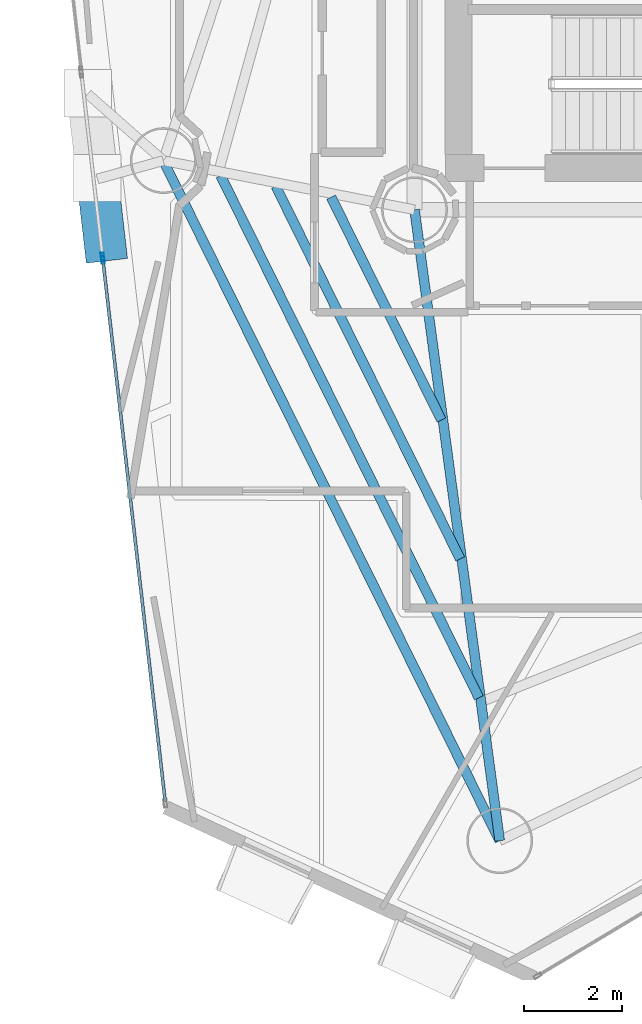
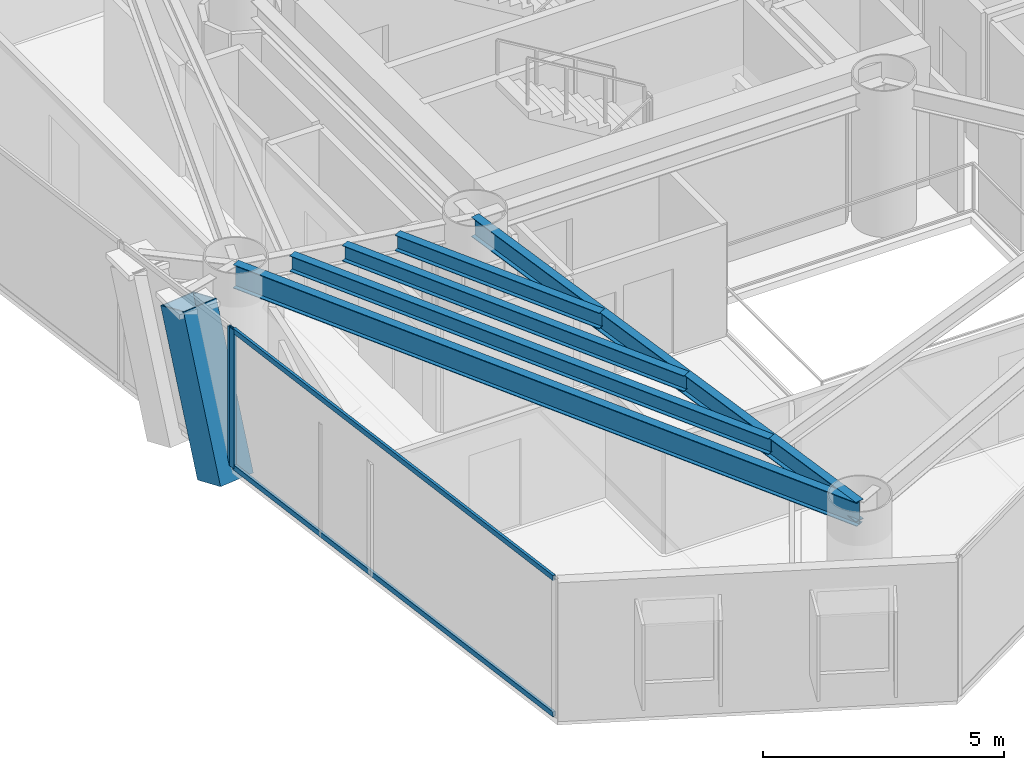
# One storey, part 3 of 22: 5 beams, 5 members, 2 elements without a shape of their own.
"""IFC4 building model written with IfcOpenShell, lengths in metres."""

from ifc_helpers import new_model, si_unit, direction, frame, origin, origin_2d, place, context, subcontext, project, spatial, hollow_rectangle, i_section, extrude, material, layer, layer_set, material_profile, profile_set, type_object, element, aggregate, save


model = new_model("IFC4")

# Units and contexts
model_context = context("Model", 3, precision=1e-05, world=origin(), true_north=direction((0.0, 1.0)))
body_context = subcontext(model_context, "Body", "Model", "MODEL_VIEW")
ifc_project = project(units=[si_unit("LENGTHUNIT", "METRE"), si_unit("AREAUNIT", "SQUARE_METRE"), si_unit("VOLUMEUNIT", "CUBIC_METRE"), si_unit("PLANEANGLEUNIT", "RADIAN"), si_unit("MASSUNIT", "GRAM", prefix="KILO")], contexts=[model_context])

# Site, building, storey
site_placement = place(None, origin())
site = spatial("IfcSite", under=ifc_project, at=site_placement, CompositionType="ELEMENT")
building_placement = place(site_placement, origin())
building = spatial("IfcBuilding", under=site, at=building_placement, Name="Qianvela Tower", CompositionType="ELEMENT")
storey_placement = place(building_placement, frame((0.0, 0.0, 173.5)))
storey = spatial("IfcBuildingStorey", under=building, at=storey_placement, Name="L44", CompositionType="ELEMENT", Elevation=173.5)

# Beams
ifc_material_1 = material(Name="Steel Q355B", Category="steel")
ifc_material_profile_1 = material_profile(ifc_material_1, i_section(OverallWidth=0.199951171875, OverallDepth=0.39990234375, WebThickness=0.008056640625, FlangeThickness=0.012939453125, at=origin_2d()), Name="HN400x200x8x13")
ifc_profile_set_1 = profile_set([ifc_material_profile_1], Name="Steel Q355B")
beam_type_1 = type_object("IfcBeamType", Name="BM-HN400-JOIST", PredefinedType="JOIST", material=ifc_profile_set_1)
beam_1_placement = place(storey_placement, frame((26.89013671875, 24.10693359375, 3.318115234375), z_axis=(0.443417880161, -0.896315002415, 0.0), x_axis=(0.896315002415, 0.443417880161, 0.0)))
element("IfcBeam", 1, at=beam_1_placement, inside=storey, type_object=beam_type_1, Name="L44 Secondary Composite Floor Joist 4.1", PredefinedType="JOIST", context=body_context, shape_type="SweptSolid", body=[
    extrude(i_section(OverallWidth=0.199951171875, OverallDepth=0.39990234375, WebThickness=0.008056640625, FlangeThickness=0.012939453125, at=origin_2d()), origin(), (0.0, 0.0, 1.0), 5.099609375),
])
beam_2_placement = place(storey_placement, frame((25.75634765625, 24.3291015625, 3.318115234375), z_axis=(0.443417285282, -0.896315296708, 0.0), x_axis=(0.896315296708, 0.443417285282, 0.0)))
element("IfcBeam", 2, at=beam_2_placement, inside=storey, type_object=beam_type_1, Name="L44 Secondary Composite Floor Joist 4.2", PredefinedType="JOIST", context=body_context, shape_type="SweptSolid", body=[
    extrude(i_section(OverallWidth=0.199951171875, OverallDepth=0.39990234375, WebThickness=0.008056640625, FlangeThickness=0.012939453125, at=origin_2d()), origin(), (0.0, 0.0, 1.0), 8.523681640625),
])
beam_3_placement = place(storey_placement, frame((24.622314453125, 24.551025390625, 3.318115234375), z_axis=(0.443417031377, -0.896315422318, 0.0), x_axis=(0.896315422318, 0.443417031377, 0.0)))
element("IfcBeam", 3, at=beam_3_placement, inside=storey, type_object=beam_type_1, Name="L44 Secondary Composite Floor Joist 4.3", PredefinedType="JOIST", context=body_context, shape_type="SweptSolid", body=[
    extrude(i_section(OverallWidth=0.199951171875, OverallDepth=0.39990234375, WebThickness=0.008056640625, FlangeThickness=0.012939453125, at=origin_2d()), origin(), (0.0, 0.0, 1.0), 11.94775390625),
])
ifc_material_2 = material(Name="Steel Q355B", Category="steel")
ifc_material_profile_2 = material_profile(ifc_material_2, i_section(OverallWidth=0.199951171875, OverallDepth=0.5, WebThickness=0.010009765625, FlangeThickness=0.01611328125, at=origin_2d()), Name="HN500x200x10x16")
ifc_profile_set_2 = profile_set([ifc_material_profile_2], Name="Steel Q355B")
beam_type_2 = type_object("IfcBeamType", Name="BM-HN500-GIRD", PredefinedType="BEAM", material=ifc_profile_set_2)
beam_4_placement = place(storey_placement, frame((28.60009765625, 23.85009765625, 3.26806640625), z_axis=(0.133769024854, -0.991012536747, 0.0), x_axis=(0.991012536747, 0.133769024854, 0.0)))
element("IfcBeam", 4, at=beam_4_placement, inside=storey, type_object=beam_type_2, Name="L44 Radial Primary Floor Girder 5", PredefinedType="BEAM", context=body_context, shape_type="SweptSolid", body=[
    extrude(i_section(OverallWidth=0.199951171875, OverallDepth=0.5, WebThickness=0.010009765625, FlangeThickness=0.01611328125, at=origin_2d()), origin(), (0.0, 0.0, 1.0), 13.05859375),
])
ifc_material_3 = material(Name="Steel Q355B", Category="steel")
ifc_material_profile_3 = material_profile(ifc_material_3, i_section(OverallWidth=0.199951171875, OverallDepth=0.60009765625, WebThickness=0.010986328125, FlangeThickness=0.01708984375, at=origin_2d()), Name="HN600x200x11x17")
ifc_profile_set_3 = profile_set([ifc_material_profile_3], Name="Steel Q355B")
beam_type_3 = type_object("IfcBeamType", Name="BM-HN600-GIRD", PredefinedType="BEAM", material=ifc_profile_set_3)
beam_5_placement = place(storey_placement, frame((23.446044921875, 24.85888671875, 3.218017578125), z_axis=(0.443400805375, -0.896323449315, 0.0), x_axis=(0.896323449315, 0.443400805375, 0.0)))
element("IfcBeam", 5, at=beam_5_placement, inside=storey, type_object=beam_type_3, Name="L44 Perimeter Ring Spandrel Girder 4", PredefinedType="BEAM", context=body_context, shape_type="SweptSolid", body=[
    extrude(i_section(OverallWidth=0.199951171875, OverallDepth=0.60009765625, WebThickness=0.010986328125, FlangeThickness=0.01708984375, at=origin_2d()), origin(), (0.0, 0.0, 1.0), 15.5634765625),
])

# Curtain wall, member
ifc_material_4 = material(Name="Anodised Architectural Aluminium and Insulated Spandrel Panel", Category="aluminium")
ifc_layer_1 = layer(ifc_material_4, 0.179931640625)
ifc_layer_set_1 = layer_set([ifc_layer_1], Name="Anodised Architectural Aluminium and Insulated Spandrel Panel")
curtain_wall_type_1 = type_object("IfcCurtainWallType", Name="CW-BRACEBAY", PredefinedType="USERDEFINED", material=ifc_layer_set_1)
curtain_wall_1_placement = place(storey_placement, origin())
curtain_wall_1 = element("IfcCurtainWall", 6, at=curtain_wall_1_placement, inside=storey, type_object=curtain_wall_type_1, Name="L44 CW-BRACEBAY Curtain Wall 04B", ObjectType="CURTAIN_WALL_SYSTEM", PredefinedType="USERDEFINED")
ifc_material_5 = material(Name="Anodised Architectural Aluminium 6063-T6", Category="aluminium")
ifc_material_profile_4 = material_profile(ifc_material_5, hollow_rectangle(XDim=0.06494140625, YDim=0.159912109375, WallThickness=0.0048828125, at=origin_2d()), Name="ALU-MULL-65x160")
ifc_profile_set_4 = profile_set([ifc_material_profile_4], Name="Anodised Architectural Aluminium 6063-T6")
member_type_1 = type_object("IfcMemberType", Name="CW-BRACEBAY-MULL", PredefinedType="MULLION", material=ifc_profile_set_4)
member_1_placement = place(storey_placement, frame((22.19921875, 22.889892578125, 0.0), z_axis=(0.0, 0.0, 1.0), x_axis=(0.993452772179, 0.114243553211, 0.0)))
member_1 = element("IfcMember", 7, at=member_1_placement, type_object=member_type_1, Name="CW-9 mullion 2", PredefinedType="MULLION", context=body_context, shape_type="SweptSolid", body=[
    extrude(hollow_rectangle(XDim=0.06494140625, YDim=0.159912109375, WallThickness=0.0048828125, at=origin_2d()), origin(), (0.0, 0.0, 1.0), 3.52001953125),
])
aggregate(curtain_wall_1, [member_1])

# Curtain wall, members
ifc_material_6 = material(Name="Anodised Architectural Aluminium and Low-E Glass", Category="aluminium")
ifc_layer_2 = layer(ifc_material_6, 0.169921875)
ifc_layer_set_2 = layer_set([ifc_layer_2], Name="Anodised Architectural Aluminium and Low-E Glass")
curtain_wall_type_2 = type_object("IfcCurtainWallType", Name="CW-COLIV-Z34", PredefinedType="USERDEFINED", material=ifc_layer_set_2)
curtain_wall_2_placement = place(storey_placement, origin())
curtain_wall_2 = element("IfcCurtainWall", 8, at=curtain_wall_2_placement, inside=storey, type_object=curtain_wall_type_2, Name="L44 CW-COLIV-Z34 Curtain Wall 04C", ObjectType="CURTAIN_WALL_SYSTEM", PredefinedType="USERDEFINED")
ifc_material_7 = material(Name="Anodised Architectural Aluminium 6063-T6", Category="aluminium")
ifc_material_profile_5 = material_profile(ifc_material_7, hollow_rectangle(XDim=0.06494140625, YDim=0.159912109375, WallThickness=0.0048828125, at=origin_2d()), Name="ALU-MULL-65x160")
ifc_profile_set_5 = profile_set([ifc_material_profile_5], Name="Anodised Architectural Aluminium 6063-T6")
member_type_2 = type_object("IfcMemberType", Name="CW-COLIV-Z34-MULL", PredefinedType="MULLION", material=ifc_profile_set_5)
member_2_placement = place(storey_placement, frame((22.20654296875, 22.825439453125, 0.0), z_axis=(0.0, 0.0, 1.0), x_axis=(0.993452845581, 0.114242914909, 0.0)))
member_2 = element("IfcMember", 9, at=member_2_placement, type_object=member_type_2, Name="CW-4 mullion 1", PredefinedType="MULLION", context=body_context, shape_type="SweptSolid", body=[
    extrude(hollow_rectangle(XDim=0.06494140625, YDim=0.159912109375, WallThickness=0.0048828125, at=origin_2d()), origin(), (0.0, 0.0, 1.0), 3.52001953125),
])
ifc_material_8 = material(Name="Anodised Architectural Aluminium 6063-T6", Category="aluminium")
ifc_material_profile_6 = material_profile(ifc_material_8, hollow_rectangle(XDim=0.06494140625, YDim=0.1298828125, WallThickness=0.00439453125, at=origin_2d()), Name="ALU-TRAN-65x130")
ifc_profile_set_6 = profile_set([ifc_material_profile_6], Name="Anodised Architectural Aluminium 6063-T6")
member_type_3 = type_object("IfcMemberType", Name="CW-COLIV-Z34-TRAN", PredefinedType="USERDEFINED", material=ifc_profile_set_6)
member_3_placement = place(storey_placement, frame((22.210205078125, 22.793212890625, 0.032470703125), z_axis=(0.114264616723, -0.993450349723, 0.0), x_axis=(0.993450349723, 0.114264616723, 0.0)))
member_3 = element("IfcMember", 10, at=member_3_placement, type_object=member_type_3, Name="CW-4 transom 1.1", ObjectType="TRANSOM", PredefinedType="USERDEFINED", context=body_context, shape_type="SweptSolid", body=[
    extrude(hollow_rectangle(XDim=0.06494140625, YDim=0.1298828125, WallThickness=0.00439453125, at=origin_2d()), origin(), (0.0, 0.0, 1.0), 11.16162109375),
])
member_4_placement = place(storey_placement, frame((22.210205078125, 22.793212890625, 3.487548828125), z_axis=(0.114264616723, -0.993450349723, 0.0), x_axis=(0.993450349723, 0.114264616723, 0.0)))
member_4 = element("IfcMember", 11, at=member_4_placement, type_object=member_type_3, Name="CW-4 transom 1.2", ObjectType="TRANSOM", PredefinedType="USERDEFINED", context=body_context, shape_type="SweptSolid", body=[
    extrude(hollow_rectangle(XDim=0.06494140625, YDim=0.1298828125, WallThickness=0.00439453125, at=origin_2d()), origin(), (0.0, 0.0, 1.0), 11.16162109375),
])
aggregate(curtain_wall_2, [member_2, member_3, member_4])

# Member
ifc_material_9 = material(Name="Steel Q420GJC", Category="steel")
ifc_material_profile_7 = material_profile(ifc_material_9, hollow_rectangle(XDim=0.85009765625, YDim=0.85009765625, WallThickness=0.031982421875, at=origin_2d()), Name="MBOX-850x850x32")
ifc_profile_set_7 = profile_set([ifc_material_profile_7], Name="Steel Q420GJC")
member_type_4 = type_object("IfcMemberType", Name="MBR-MBRACE-850", PredefinedType="BRACE", material=ifc_profile_set_7)
member_5_placement = place(storey_placement, frame((22.243896484375, 23.202392578125, -0.48193359375), z_axis=(-0.037575623452, 0.326714749187, 0.944375743645), x_axis=(-0.993451190289, -0.114257308362, 0.0)))
element("IfcMember", 12, at=member_5_placement, inside=storey, type_object=member_type_4, Name="L44 Tier 7 Exterior Mega-Brace F2B", PredefinedType="BRACE", context=body_context, shape_type="SweptSolid", body=[
    extrude(hollow_rectangle(XDim=0.85009765625, YDim=0.85009765625, WallThickness=0.031982421875, at=origin_2d()), origin(), (0.0, 0.0, 1.0), 3.91796875),
])

save(model, "model.ifc")
